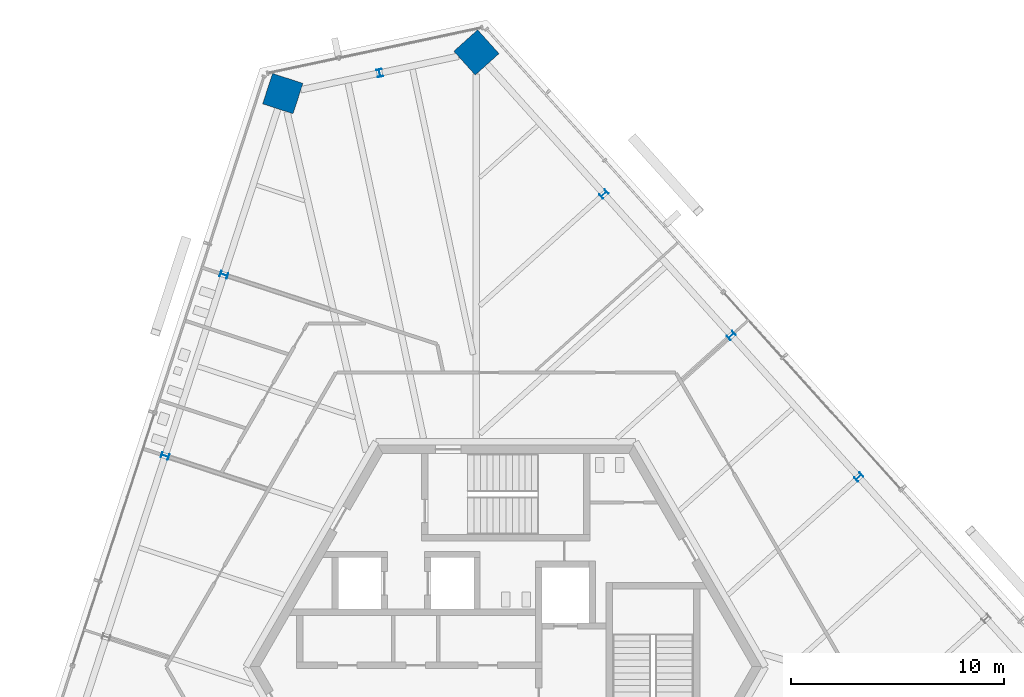
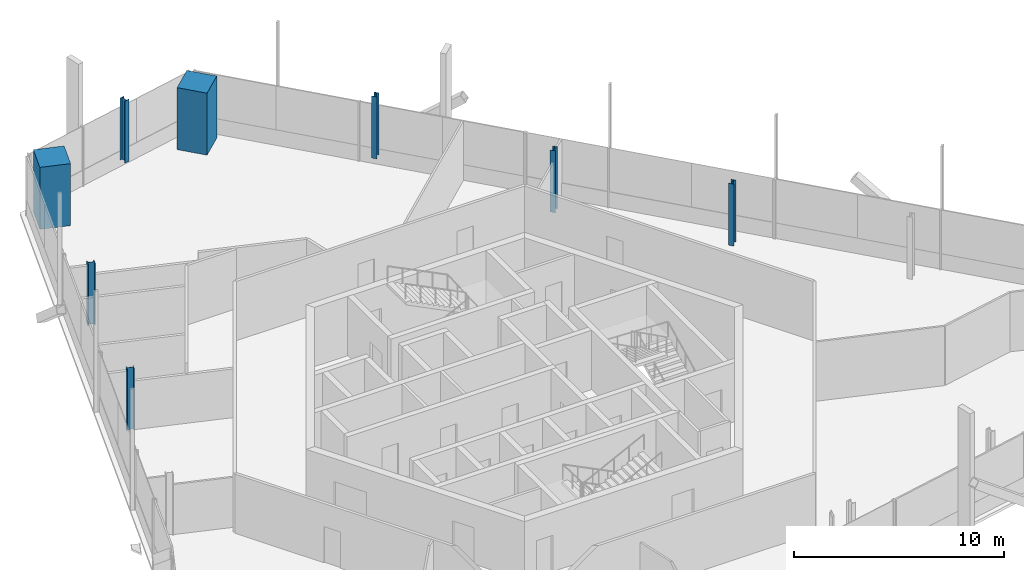
# One storey, part 3 of 16: 8 columns.
"""IFC4 building model written with IfcOpenShell, lengths in metres."""

from ifc_helpers import new_model, si_unit, direction, frame, origin, origin_2d, place, context, subcontext, project, spatial, rectangle, i_section, extrude, source, transform, mapped, material, material_profile, profile_set, type_object, element, save


model = new_model("IFC4")

# Units and contexts
model_context = context("Model", 3, precision=1e-05, world=origin(), true_north=direction((0.0, 1.0)))
body_context = subcontext(model_context, "Body", "Model", "MODEL_VIEW")
ifc_project = project(units=[si_unit("LENGTHUNIT", "METRE"), si_unit("AREAUNIT", "SQUARE_METRE"), si_unit("VOLUMEUNIT", "CUBIC_METRE"), si_unit("PLANEANGLEUNIT", "RADIAN"), si_unit("MASSUNIT", "GRAM", prefix="KILO")], contexts=[model_context])

# Site, building, storey
site_placement = place(None, origin())
site = spatial("IfcSite", under=ifc_project, at=site_placement, CompositionType="ELEMENT")
building_placement = place(site_placement, origin())
building = spatial("IfcBuilding", under=site, at=building_placement, Name="Triune Harvest Tower", CompositionType="ELEMENT")
storey_placement = place(building_placement, frame((0.0, 0.0, 266.699951171875)))
storey = spatial("IfcBuildingStorey", under=building, at=storey_placement, Name="L70", CompositionType="ELEMENT", Elevation=266.699951171875)

# Columns
ifc_material_1 = material(Name="Concrete 70 MPa", Category="concrete")
ifc_material_profile_1 = material_profile(ifc_material_1, rectangle(XDim=1.5, YDim=1.5, at=origin_2d()), Name="Composite 1500x1500")
ifc_profile_set_1 = profile_set([ifc_material_profile_1], Name="Concrete 70 MPa")
column_type_1 = type_object("IfcColumnType", Name="MC-7 Mega column Composite 1500x1500", PredefinedType="COLUMN", material=ifc_profile_set_1)
shared_shape_1 = source(origin(), body_context, "Body", "SweptSolid", [
    extrude(rectangle(XDim=1.5, YDim=1.5, at=origin_2d()), origin(), (0.0, 0.0, 1.0), 3.60009765625),
])
for number, where, z_axis, x_axis, name in (
    (1, (-1.376708984375, 28.794921875, 0.0), (0.0, 0.0, 1.0), (-0.669130606359, 0.743144825477, 0.0), "col/L70/M5"),
    (2, (-10.4541015625, 26.865478515625, 0.0), (0.0, 0.0, 1.0), (-0.309015334468, -0.95105705563, 0.0), "col/L70/M7"),
):
    element("IfcColumn", number, at=place(storey_placement, frame(where, z_axis=z_axis, x_axis=x_axis)), inside=storey, type_object=column_type_1, Name=name, PredefinedType="COLUMN", context=body_context, shape_type="MappedRepresentation", body=[
        mapped(shared_shape_1, transform((0.0, 0.0, 0.0), scale=1.0)),
    ])
ifc_material_2 = material(Name="Steel ASTM A992 Gr 50", Category="steel")
ifc_material_profile_2 = material_profile(ifc_material_2, i_section(OverallWidth=0.256591796875, OverallDepth=0.360595703125, WebThickness=0.011474609375, FlangeThickness=0.02001953125, at=origin_2d()), Name="W14x74")
ifc_profile_set_2 = profile_set([ifc_material_profile_2], Name="Steel ASTM A992 Gr 50")
column_type_2 = type_object("IfcColumnType", Name="PC-7 Perimeter column W14x74", PredefinedType="COLUMN", material=ifc_profile_set_2)
shared_shape_2 = source(origin(), body_context, "Body", "SweptSolid", [
    extrude(i_section(OverallWidth=0.256591796875, OverallDepth=0.360595703125, WebThickness=0.011474609375, FlangeThickness=0.02001953125, at=origin_2d()), origin(), (0.0, 0.0, 1.0), 3.60009765625),
])
for number, where, z_axis, x_axis, name in (
    (3, (16.545166015625, 8.890380859375, 0.0), (0.0, 0.0, 1.0), (-0.669130606359, 0.743144825477, 0.0), "col/L70/P2"),
    (4, (10.5712890625, 15.525146484375, 0.0), (0.0, 0.0, 1.0), (-0.669130606359, 0.743144825477, 0.0), "col/L70/P3"),
    (5, (4.59716796875, 22.159912109375, 1.199951171875), (0.0, 0.0, 1.0), (-0.669130606359, 0.743144825477, 0.0), "col/L70/P4"),
    (6, (-5.91552734375, 27.830078125, 1.199951171875), (0.0, 0.0, 1.0), (-0.978147600734, -0.207911690818, 0.0), "col/L70/P6"),
    (7, (-13.212890625, 18.37451171875, 0.0), (0.0, 0.0, 1.0), (-0.309015334468, -0.95105705563, 0.0), "col/L70/P8"),
    (8, (-15.971923828125, 9.88330078125, 0.0), (0.0, 0.0, 1.0), (-0.309015334468, -0.95105705563, 0.0), "col/L70/P9"),
):
    element("IfcColumn", number, at=place(storey_placement, frame(where, z_axis=z_axis, x_axis=x_axis)), inside=storey, type_object=column_type_2, Name=name, PredefinedType="COLUMN", context=body_context, shape_type="MappedRepresentation", body=[
        mapped(shared_shape_2, transform((0.0, 0.0, 0.0), scale=1.0)),
    ])

save(model, "model.ifc")
